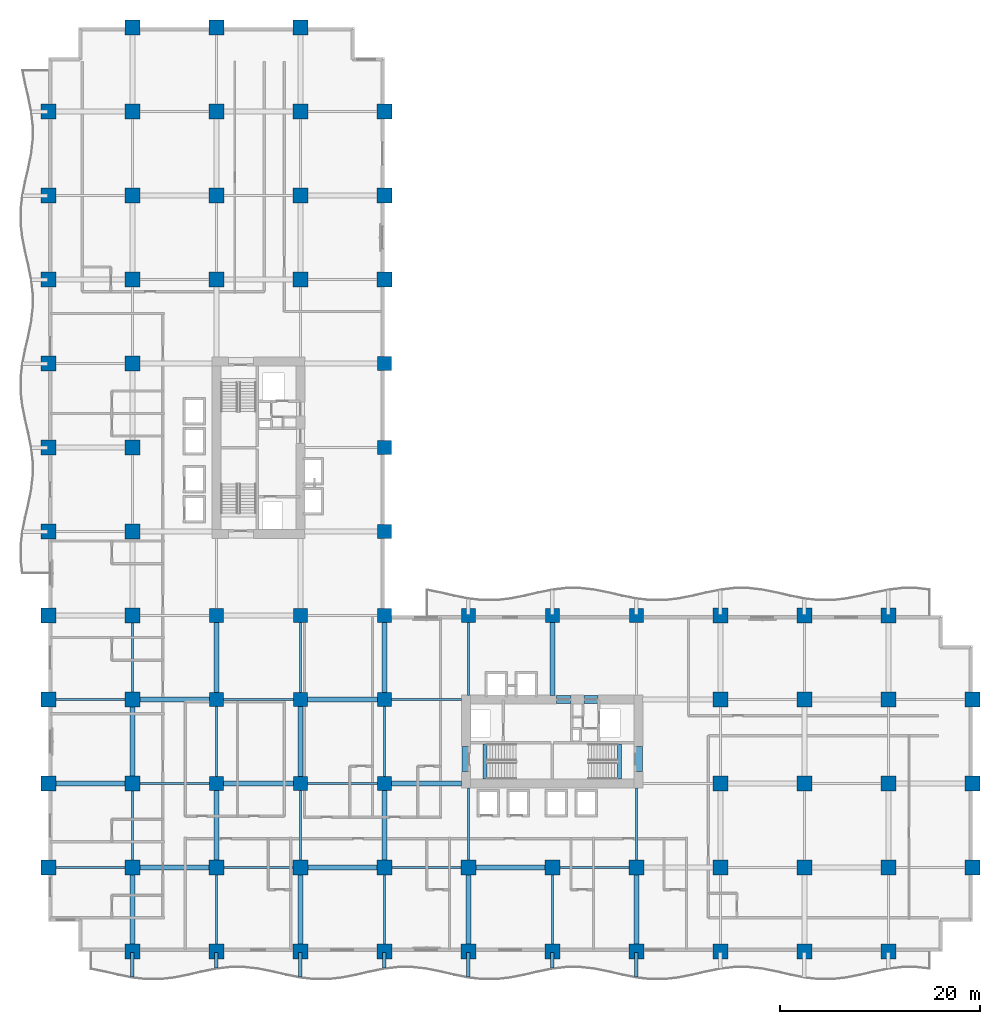
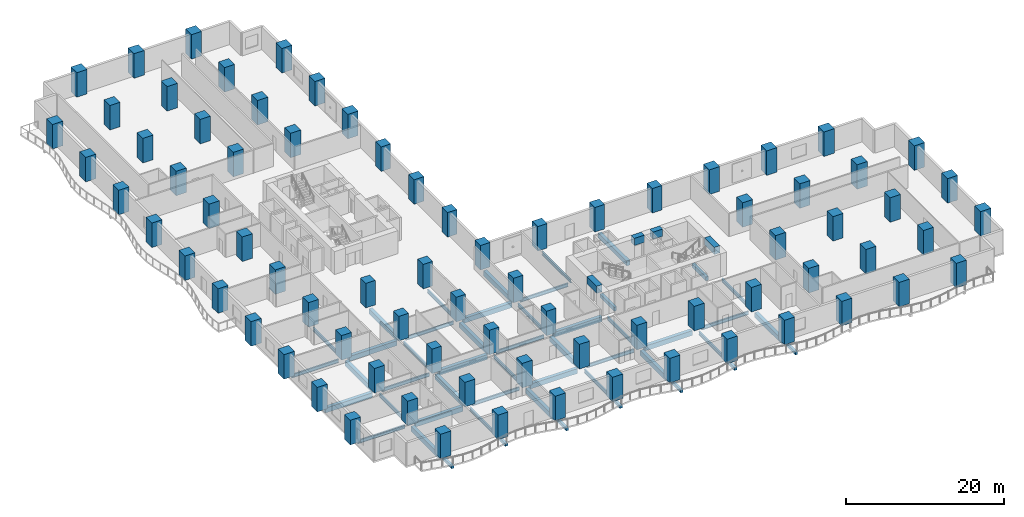
# One storey, part 1 of 20: 78 columns, 53 beams.
"""IFC4 building model written with IfcOpenShell, lengths in metres."""

import ifcopenshell
import ifcopenshell.guid

model = None  # the IFC model being written
_history = None  # IfcOwnerHistory: only IFC2X3 demands one
_inside = {}  # id of a spatial element -> (the spatial element, [elements in it])
_under = {}  # id of a project, library or spatial element -> (it, [spatial elements below it])
_declared = {}  # id of a project -> (the project, [libraries it declares])
_typed = {}  # id of a type object -> (the type object, [elements of that type])
_made_of = {}  # id of a material, layer set ... -> (it, [elements and type objects made of it])


def new_model(schema):
    """Start an empty IFC model of exactly this schema.

    Asked for "IFC4X3", IfcOpenShell would pick the latest addendum, in which some entities
    have other attributes; the version numbers below select the first issue.
    IFC2X3 requires an IfcOwnerHistory on every rooted entity: one is made here for all.
    """
    global model, _history
    if schema == "IFC4X3":
        model = ifcopenshell.file(schema_version=(4, 3, 0, 0))
    else:
        model = ifcopenshell.file(schema=schema)
    _inside.clear()
    _under.clear()
    _declared.clear()
    _typed.clear()
    _made_of.clear()
    _history = None
    if model.schema == "IFC2X3":
        org = make("IfcOrganization", Name="unknown")
        user = make(
            "IfcPersonAndOrganization",
            ThePerson=make("IfcPerson", FamilyName="unknown"),
            TheOrganization=org,
        )
        app = make(
            "IfcApplication",
            ApplicationDeveloper=org,
            Version="unknown",
            ApplicationFullName="unknown",
            ApplicationIdentifier="unknown",
        )
        _history = make(
            "IfcOwnerHistory",
            OwningUser=user,
            OwningApplication=app,
            ChangeAction="ADDED",
            CreationDate=0,
        )
    return model


def make(cls, **values):
    """One entity of the class cls with the attributes given. An attribute that is None is left unset."""
    return model.create_entity(
        cls, **{name: value for name, value in values.items() if value is not None}
    )


def rooted(cls, **values):
    """An entity with a GlobalId (a new one), such as an element, a storey or a relation."""
    return make(cls, GlobalId=ifcopenshell.guid.new(), OwnerHistory=_history, **values)


def si_unit(unit_type, name, prefix=None):
    """IfcSIUnit, for example si_unit("LENGTHUNIT", "METRE", prefix="MILLI")."""
    return make("IfcSIUnit", UnitType=unit_type, Prefix=prefix, Name=name)


def assignment(units):
    """IfcUnitAssignment: the units of a project."""
    return None if units is None else make("IfcUnitAssignment", Units=units)


def point(xyz):
    """IfcCartesianPoint."""
    return None if xyz is None else make("IfcCartesianPoint", Coordinates=xyz)


def direction(xyz):
    """IfcDirection."""
    return None if xyz is None else make("IfcDirection", DirectionRatios=xyz)


def frame(location, z_axis=None, x_axis=None):
    """IfcAxis2Placement3D, a coordinate frame: its origin and axes. An axis left out is left unset."""
    return make(
        "IfcAxis2Placement3D",
        Location=point(location),
        Axis=direction(z_axis),
        RefDirection=direction(x_axis),
    )


def frame_2d(location, x_axis=None):
    """IfcAxis2Placement2D, a coordinate frame in the plane: its origin and x axis."""
    return make(
        "IfcAxis2Placement2D", Location=point(location), RefDirection=direction(x_axis)
    )


def origin():
    """The frame at (0, 0, 0) with its axes left unset."""
    return frame((0.0, 0.0, 0.0))


def origin_2d():
    """The frame at (0, 0) in the plane with its x axis left unset."""
    return frame_2d((0.0, 0.0))


def place(relative_to, where):
    """IfcLocalPlacement: puts the frame where relative to a parent placement (None: the world)."""
    return make(
        "IfcLocalPlacement", PlacementRelTo=relative_to, RelativePlacement=where
    )


def context(
    kind, dimensions, precision=None, world=None, true_north=None, identifier=None
):
    """IfcGeometricRepresentationContext, for example the 3D "Model" context."""
    return make(
        "IfcGeometricRepresentationContext",
        ContextIdentifier=identifier,
        ContextType=kind,
        CoordinateSpaceDimension=dimensions,
        Precision=precision,
        WorldCoordinateSystem=world,
        TrueNorth=true_north,
    )


def subcontext(parent, identifier, kind, view, scale=None):
    """IfcGeometricRepresentationSubContext, for example "Body" below "Model"."""
    return make(
        "IfcGeometricRepresentationSubContext",
        ContextIdentifier=identifier,
        ContextType=kind,
        ParentContext=parent,
        TargetScale=scale,
        TargetView=view,
    )


def project(units=None, contexts=None):
    """IfcProject with its units and contexts."""
    return rooted(
        "IfcProject",
        Name="project",
        RepresentationContexts=contexts,
        UnitsInContext=assignment(units),
    )


def spatial(cls, under=None, at=None, **own):
    """A site, building, storey or space (cls), placed at a placement, below another one or the project."""
    s = rooted(cls, ObjectPlacement=at, **own)
    if under is not None:
        _under.setdefault(under.id(), (under, []))[1].append(s)
    return s


def profile(cls, at=None, kind="AREA", **sizes):
    """A parametric profile (cls). Its sizes go by their IFC names, for example OverallWidth=200.0."""
    return make(cls, ProfileType=kind, Position=at, **sizes)


def rectangle(**sizes):
    """IfcRectangleProfileDef."""
    return profile("IfcRectangleProfileDef", **sizes)


def i_section(**sizes):
    """IfcIShapeProfileDef."""
    return profile("IfcIShapeProfileDef", **sizes)


def extrude(swept, where, along, depth):
    """IfcExtrudedAreaSolid: the profile swept, set in the frame where, extruded along a direction by depth."""
    return make(
        "IfcExtrudedAreaSolid",
        SweptArea=swept,
        Position=where,
        ExtrudedDirection=direction(along),
        Depth=depth,
    )


def shape(context_of_items, identifier, shape_type, items):
    """IfcShapeRepresentation: the items that make up one representation, for example the "Body"."""
    return make(
        "IfcShapeRepresentation",
        ContextOfItems=context_of_items,
        RepresentationIdentifier=identifier,
        RepresentationType=shape_type,
        Items=items,
    )


def material(Name=None, Category=None):
    """IfcMaterial."""
    return make("IfcMaterial", Name=Name, Category=Category)


def material_profile(
    of_material, cross_section, Name=None, Category=None, Priority=None
):
    """IfcMaterialProfile: a cross section and its material."""
    return make(
        "IfcMaterialProfile",
        Name=Name,
        Material=of_material,
        Profile=cross_section,
        Priority=Priority,
        Category=Category,
    )


def profile_set(profiles, Name=None, composite=None):
    """IfcMaterialProfileSet."""
    return make(
        "IfcMaterialProfileSet",
        Name=Name,
        MaterialProfiles=profiles,
        CompositeProfile=composite,
    )


def made_of(thing, what):
    """Note that an element or type object is made of a material, layer set ...; save() writes the relation."""
    if what is not None:
        _made_of.setdefault(what.id(), (what, []))[1].append(thing)
    return thing


def type_object(cls, material=None, **own):
    """A type object (cls), such as IfcWallType, which elements share."""
    return made_of(rooted(cls, **own), material)


def element(
    cls,
    number,
    at=None,
    inside=None,
    cuts=None,
    type_object=None,
    material=None,
    context=None,
    identifier="Body",
    shape_type=None,
    held_by="IfcProductDefinitionShape",
    body=None,
    shapes=None,
    **own,
):
    """One element of the class cls, such as IfcWall. Its Tag is "e" and its number.

    at: its placement. inside: the storey or other place that contains it. cuts: it is an
    opening in that element (IfcRelVoidsElement). A single representation is given by context,
    identifier, shape_type and body (its items); several are given by shapes. held_by: the class
    of the entity that holds the representations. save() writes the other relations.
    """
    e = rooted(cls, Tag="e%d" % number, ObjectPlacement=at, **own)
    if body is not None:
        shapes = [shape(context, identifier, shape_type, body)]
    if shapes is not None:
        e.Representation = make(held_by, Representations=shapes)
    if inside is not None:
        _inside.setdefault(inside.id(), (inside, []))[1].append(e)
    if cuts is not None:
        rooted(
            "IfcRelVoidsElement", RelatingBuildingElement=cuts, RelatedOpeningElement=e
        )
    if type_object is not None:
        _typed.setdefault(type_object.id(), (type_object, []))[1].append(e)
    return made_of(e, material)


def aggregate(whole, parts):
    """IfcRelAggregates: a whole, such as a stair, and the parts it consists of."""
    return rooted("IfcRelAggregates", RelatingObject=whole, RelatedObjects=parts)


def save(model, path):
    """Write the relations noted so far, then the file.

    IfcRelAggregates (storeys below a building ...), IfcRelContainedInSpatialStructure (elements
    in a storey), IfcRelDefinesByType, IfcRelAssociatesMaterial and IfcRelDeclares: one each for
    every whole, place, type object, material and project.
    """
    for whole, parts in _under.values():
        aggregate(whole, parts)
    for where, things in _inside.values():
        rooted(
            "IfcRelContainedInSpatialStructure",
            RelatedElements=things,
            RelatingStructure=where,
        )
    for kind, things in _typed.values():
        rooted("IfcRelDefinesByType", RelatedObjects=things, RelatingType=kind)
    for what, things in _made_of.values():
        rooted("IfcRelAssociatesMaterial", RelatedObjects=things, RelatingMaterial=what)
    for by, libraries in _declared.values():
        rooted("IfcRelDeclares", RelatingContext=by, RelatedDefinitions=libraries)
    model.write(path)


model = new_model("IFC4")

# Units and contexts
model_context = context("Model", 3, precision=1e-05, world=origin(), true_north=direction((0.0, 1.0)))
body_context = subcontext(model_context, "Body", "Model", "MODEL_VIEW")
ifc_project = project(units=[si_unit("LENGTHUNIT", "METRE"), si_unit("AREAUNIT", "SQUARE_METRE"), si_unit("VOLUMEUNIT", "CUBIC_METRE"), si_unit("PLANEANGLEUNIT", "RADIAN"), si_unit("MASSUNIT", "GRAM", prefix="KILO")], contexts=[model_context])

# Site, building, storey
site_placement = place(None, origin())
site = spatial("IfcSite", under=ifc_project, at=site_placement, CompositionType="ELEMENT")
building_placement = place(site_placement, origin())
building = spatial("IfcBuilding", under=site, at=building_placement, Name="Koriwani Terraces Tower", CompositionType="ELEMENT")
storey_placement = place(building_placement, frame((0.0, 0.0, 73.800048828125)))
storey = spatial("IfcBuildingStorey", under=building, at=storey_placement, Name="L17", CompositionType="ELEMENT", Elevation=73.800048828125)

# Columns
ifc_material_1 = material(Name="Concrete C60/75", Category="concrete")
ifc_material_profile_1 = material_profile(ifc_material_1, rectangle(XDim=1.39990234375, YDim=1.39990234375, at=origin_2d()), Name="Concrete C60/75", Category="LoadBearing")
ifc_profile_set_1 = profile_set([ifc_material_profile_1], Name="Concrete C60/75")
column_type_1 = type_object("IfcColumnType", Name="COL_RC_1400X1400", PredefinedType="COLUMN", material=ifc_profile_set_1)
for number, where, z_axis, x_axis, name in (
    (1, (16.800048828125, 16.800048828125, 0.0), (0.0, 0.0, 1.0), (1.0, 0.0, 0.0), "L17 Column 3/C"),
    (2, (16.800048828125, 25.199951171875, 0.0), (0.0, 0.0, 1.0), (1.0, 0.0, 0.0), "L17 Column 3/D"),
    (3, (16.800048828125, 33.60009765625, 0.0), (0.0, 0.0, 1.0), (1.0, 0.0, 0.0), "L17 Column 3/E"),
    (4, (25.199951171875, 16.800048828125, 0.0), (0.0, 0.0, 1.0), (1.0, 0.0, 0.0), "L17 Column 4/C"),
    (5, (25.199951171875, 25.199951171875, 0.0), (0.0, 0.0, 1.0), (1.0, 0.0, 0.0), "L17 Column 4/D"),
    (6, (25.199951171875, 33.60009765625, 0.0), (0.0, 0.0, 1.0), (1.0, 0.0, 0.0), "L17 Column 4/E"),
    (7, (33.60009765625, 16.800048828125, 0.0), (0.0, 0.0, 1.0), (1.0, 0.0, 0.0), "L17 Column 5/C"),
    (8, (33.60009765625, 25.199951171875, 0.0), (0.0, 0.0, 1.0), (1.0, 0.0, 0.0), "L17 Column 5/D"),
    (9, (33.60009765625, 33.60009765625, 0.0), (0.0, 0.0, 1.0), (1.0, 0.0, 0.0), "L17 Column 5/E"),
    (10, (33.60009765625, 42.0, 0.0), (0.0, 0.0, 1.0), (1.0, 0.0, 0.0), "L17 Column 5/F"),
    (11, (33.60009765625, 50.39990234375, 0.0), (0.0, 0.0, 1.0), (1.0, 0.0, 0.0), "L17 Column 5/G"),
    (12, (33.60009765625, 58.800048828125, 0.0), (0.0, 0.0, 1.0), (1.0, 0.0, 0.0), "L17 Column 5/H"),
    (13, (42.0, 33.60009765625, 0.0), (0.0, 0.0, 1.0), (1.0, 0.0, 0.0), "L17 Column 6/E"),
    (14, (50.39990234375, 33.60009765625, 0.0), (0.0, 0.0, 1.0), (1.0, 0.0, 0.0), "L17 Column 7/E"),
    (15, (58.800048828125, 33.60009765625, 0.0), (0.0, 0.0, 1.0), (1.0, 0.0, 0.0), "L17 Column 8/E"),
):
    element("IfcColumn", number, at=place(storey_placement, frame(where, z_axis=z_axis, x_axis=x_axis)), inside=storey, type_object=column_type_1, Name=name, PredefinedType="COLUMN", context=body_context, shape_type="SweptSolid", body=[
        extrude(rectangle(XDim=1.39990234375, YDim=1.39990234375, at=origin_2d()), origin(), (0.0, 0.0, 1.0), 3.800048828125),
    ])
ifc_material_profile_2 = material_profile(ifc_material_1, rectangle(XDim=1.5, YDim=1.5, at=origin_2d()), Name="Concrete C60/75", Category="LoadBearing")
ifc_profile_set_2 = profile_set([ifc_material_profile_2], Name="Concrete C60/75")
column_type_2 = type_object("IfcColumnType", Name="COL_RC_1500X1500", PredefinedType="COLUMN", material=ifc_profile_set_2)
for number, where, z_axis, x_axis, name in (
    (16, (0.0, 8.39990234375, 0.0), (0.0, 0.0, 1.0), (1.0, 0.0, 0.0), "L17 Column 1/B"),
    (17, (0.0, 16.800048828125, 0.0), (0.0, 0.0, 1.0), (1.0, 0.0, 0.0), "L17 Column 1/C"),
    (18, (0.0, 25.199951171875, 0.0), (0.0, 0.0, 1.0), (1.0, 0.0, 0.0), "L17 Column 1/D"),
    (19, (0.0, 33.60009765625, 0.0), (0.0, 0.0, 1.0), (1.0, 0.0, 0.0), "L17 Column 1/E"),
    (20, (0.0, 42.0, 0.0), (0.0, 0.0, 1.0), (1.0, 0.0, 0.0), "L17 Column 1/F"),
    (21, (0.0, 50.39990234375, 0.0), (0.0, 0.0, 1.0), (1.0, 0.0, 0.0), "L17 Column 1/G"),
    (22, (0.0, 58.800048828125, 0.0), (0.0, 0.0, 1.0), (1.0, 0.0, 0.0), "L17 Column 1/H"),
    (23, (0.0, 67.199951171875, 0.0), (0.0, 0.0, 1.0), (1.0, 0.0, 0.0), "L17 Column 1/I"),
    (24, (0.0, 75.60009765625, 0.0), (0.0, 0.0, 1.0), (1.0, 0.0, 0.0), "L17 Column 1/J"),
    (25, (0.0, 84.0, 0.0), (0.0, 0.0, 1.0), (1.0, 0.0, 0.0), "L17 Column 1/K"),
    (26, (8.39990234375, 0.0, 0.0), (0.0, 0.0, 1.0), (1.0, 0.0, 0.0), "L17 Column 2/A"),
    (27, (8.39990234375, 8.39990234375, 0.0), (0.0, 0.0, 1.0), (1.0, 0.0, 0.0), "L17 Column 2/B"),
    (28, (8.39990234375, 16.800048828125, 0.0), (0.0, 0.0, 1.0), (1.0, 0.0, 0.0), "L17 Column 2/C"),
    (29, (8.39990234375, 25.199951171875, 0.0), (0.0, 0.0, 1.0), (1.0, 0.0, 0.0), "L17 Column 2/D"),
    (30, (8.39990234375, 33.60009765625, 0.0), (0.0, 0.0, 1.0), (1.0, 0.0, 0.0), "L17 Column 2/E"),
    (31, (8.39990234375, 42.0, 0.0), (0.0, 0.0, 1.0), (1.0, 0.0, 0.0), "L17 Column 2/F"),
    (32, (8.39990234375, 50.39990234375, 0.0), (0.0, 0.0, 1.0), (1.0, 0.0, 0.0), "L17 Column 2/G"),
    (33, (8.39990234375, 58.800048828125, 0.0), (0.0, 0.0, 1.0), (1.0, 0.0, 0.0), "L17 Column 2/H"),
    (34, (8.39990234375, 67.199951171875, 0.0), (0.0, 0.0, 1.0), (1.0, 0.0, 0.0), "L17 Column 2/I"),
    (35, (8.39990234375, 75.60009765625, 0.0), (0.0, 0.0, 1.0), (1.0, 0.0, 0.0), "L17 Column 2/J"),
    (36, (8.39990234375, 84.0, 0.0), (0.0, 0.0, 1.0), (1.0, 0.0, 0.0), "L17 Column 2/K"),
    (37, (8.39990234375, 92.39990234375, 0.0), (0.0, 0.0, 1.0), (1.0, 0.0, 0.0), "L17 Column 2/L"),
    (38, (16.800048828125, 0.0, 0.0), (0.0, 0.0, 1.0), (1.0, 0.0, 0.0), "L17 Column 3/A"),
    (39, (16.800048828125, 8.39990234375, 0.0), (0.0, 0.0, 1.0), (1.0, 0.0, 0.0), "L17 Column 3/B"),
    (40, (16.800048828125, 67.199951171875, 0.0), (0.0, 0.0, 1.0), (1.0, 0.0, 0.0), "L17 Column 3/I"),
    (41, (16.800048828125, 75.60009765625, 0.0), (0.0, 0.0, 1.0), (1.0, 0.0, 0.0), "L17 Column 3/J"),
    (42, (16.800048828125, 84.0, 0.0), (0.0, 0.0, 1.0), (1.0, 0.0, 0.0), "L17 Column 3/K"),
    (43, (16.800048828125, 92.39990234375, 0.0), (0.0, 0.0, 1.0), (1.0, 0.0, 0.0), "L17 Column 3/L"),
    (44, (25.199951171875, 0.0, 0.0), (0.0, 0.0, 1.0), (1.0, 0.0, 0.0), "L17 Column 4/A"),
    (45, (25.199951171875, 8.39990234375, 0.0), (0.0, 0.0, 1.0), (1.0, 0.0, 0.0), "L17 Column 4/B"),
    (46, (25.199951171875, 67.199951171875, 0.0), (0.0, 0.0, 1.0), (1.0, 0.0, 0.0), "L17 Column 4/I"),
    (47, (25.199951171875, 75.60009765625, 0.0), (0.0, 0.0, 1.0), (1.0, 0.0, 0.0), "L17 Column 4/J"),
    (48, (25.199951171875, 84.0, 0.0), (0.0, 0.0, 1.0), (1.0, 0.0, 0.0), "L17 Column 4/K"),
    (49, (25.199951171875, 92.39990234375, 0.0), (0.0, 0.0, 1.0), (1.0, 0.0, 0.0), "L17 Column 4/L"),
    (50, (33.60009765625, 0.0, 0.0), (0.0, 0.0, 1.0), (1.0, 0.0, 0.0), "L17 Column 5/A"),
    (51, (33.60009765625, 8.39990234375, 0.0), (0.0, 0.0, 1.0), (1.0, 0.0, 0.0), "L17 Column 5/B"),
    (52, (33.60009765625, 67.199951171875, 0.0), (0.0, 0.0, 1.0), (1.0, 0.0, 0.0), "L17 Column 5/I"),
    (53, (33.60009765625, 75.60009765625, 0.0), (0.0, 0.0, 1.0), (1.0, 0.0, 0.0), "L17 Column 5/J"),
    (54, (33.60009765625, 84.0, 0.0), (0.0, 0.0, 1.0), (1.0, 0.0, 0.0), "L17 Column 5/K"),
    (55, (42.0, 0.0, 0.0), (0.0, 0.0, 1.0), (1.0, 0.0, 0.0), "L17 Column 6/A"),
    (56, (42.0, 8.39990234375, 0.0), (0.0, 0.0, 1.0), (1.0, 0.0, 0.0), "L17 Column 6/B"),
    (57, (50.39990234375, 0.0, 0.0), (0.0, 0.0, 1.0), (1.0, 0.0, 0.0), "L17 Column 7/A"),
    (58, (50.39990234375, 8.39990234375, 0.0), (0.0, 0.0, 1.0), (1.0, 0.0, 0.0), "L17 Column 7/B"),
    (59, (58.800048828125, 0.0, 0.0), (0.0, 0.0, 1.0), (1.0, 0.0, 0.0), "L17 Column 8/A"),
    (60, (58.800048828125, 8.39990234375, 0.0), (0.0, 0.0, 1.0), (1.0, 0.0, 0.0), "L17 Column 8/B"),
    (61, (67.199951171875, 0.0, 0.0), (0.0, 0.0, 1.0), (1.0, 0.0, 0.0), "L17 Column 9/A"),
    (62, (67.199951171875, 8.39990234375, 0.0), (0.0, 0.0, 1.0), (1.0, 0.0, 0.0), "L17 Column 9/B"),
    (63, (67.199951171875, 16.800048828125, 0.0), (0.0, 0.0, 1.0), (1.0, 0.0, 0.0), "L17 Column 9/C"),
    (64, (67.199951171875, 25.199951171875, 0.0), (0.0, 0.0, 1.0), (1.0, 0.0, 0.0), "L17 Column 9/D"),
    (65, (67.199951171875, 33.60009765625, 0.0), (0.0, 0.0, 1.0), (1.0, 0.0, 0.0), "L17 Column 9/E"),
    (66, (75.60009765625, 0.0, 0.0), (0.0, 0.0, 1.0), (1.0, 0.0, 0.0), "L17 Column 10/A"),
    (67, (75.60009765625, 8.39990234375, 0.0), (0.0, 0.0, 1.0), (1.0, 0.0, 0.0), "L17 Column 10/B"),
    (68, (75.60009765625, 16.800048828125, 0.0), (0.0, 0.0, 1.0), (1.0, 0.0, 0.0), "L17 Column 10/C"),
    (69, (75.60009765625, 25.199951171875, 0.0), (0.0, 0.0, 1.0), (1.0, 0.0, 0.0), "L17 Column 10/D"),
    (70, (75.60009765625, 33.60009765625, 0.0), (0.0, 0.0, 1.0), (1.0, 0.0, 0.0), "L17 Column 10/E"),
    (71, (84.0, 0.0, 0.0), (0.0, 0.0, 1.0), (1.0, 0.0, 0.0), "L17 Column 11/A"),
    (72, (84.0, 8.39990234375, 0.0), (0.0, 0.0, 1.0), (1.0, 0.0, 0.0), "L17 Column 11/B"),
    (73, (84.0, 16.800048828125, 0.0), (0.0, 0.0, 1.0), (1.0, 0.0, 0.0), "L17 Column 11/C"),
    (74, (84.0, 25.199951171875, 0.0), (0.0, 0.0, 1.0), (1.0, 0.0, 0.0), "L17 Column 11/D"),
    (75, (84.0, 33.60009765625, 0.0), (0.0, 0.0, 1.0), (1.0, 0.0, 0.0), "L17 Column 11/E"),
    (76, (92.39990234375, 8.39990234375, 0.0), (0.0, 0.0, 1.0), (1.0, 0.0, 0.0), "L17 Column 12/B"),
    (77, (92.39990234375, 16.800048828125, 0.0), (0.0, 0.0, 1.0), (1.0, 0.0, 0.0), "L17 Column 12/C"),
    (78, (92.39990234375, 25.199951171875, 0.0), (0.0, 0.0, 1.0), (1.0, 0.0, 0.0), "L17 Column 12/D"),
):
    element("IfcColumn", number, at=place(storey_placement, frame(where, z_axis=z_axis, x_axis=x_axis)), inside=storey, type_object=column_type_2, Name=name, PredefinedType="COLUMN", context=body_context, shape_type="SweptSolid", body=[
        extrude(rectangle(XDim=1.5, YDim=1.5, at=origin_2d()), origin(), (0.0, 0.0, 1.0), 3.800048828125),
    ])

# Beams
ifc_material_2 = material(Name="Concrete C40/50", Category="concrete")
ifc_material_profile_3 = material_profile(ifc_material_2, rectangle(XDim=0.35009765625, YDim=0.449951171875, at=origin_2d()), Name="Concrete C40/50", Category="LoadBearing")
ifc_profile_set_3 = profile_set([ifc_material_profile_3], Name="Concrete C40/50")
beam_type_1 = type_object("IfcBeamType", Name="BEAM_RC_BALCONY_RIB_350X450", PredefinedType="JOIST", material=ifc_profile_set_3)
beam_1_placement = place(storey_placement, frame((8.39990234375, -2.516845703125, -0.47509765625), z_axis=(0.0, 1.0, 0.0), x_axis=(-1.0, 0.0, 0.0)))
element("IfcBeam", 79, at=beam_1_placement, inside=storey, type_object=beam_type_1, Name="L17 Balcony Bracket Rib S-1", PredefinedType="JOIST", context=body_context, shape_type="SweptSolid", body=[
    extrude(rectangle(XDim=0.35009765625, YDim=0.449951171875, at=origin_2d()), origin(), (0.0, 0.0, 1.0), 2.416748046875),
])
beam_2_placement = place(storey_placement, frame((16.800048828125, -1.633056640625, -0.47509765625), z_axis=(0.0, 1.0, 0.0), x_axis=(-1.0, 0.0, 0.0)))
element("IfcBeam", 80, at=beam_2_placement, inside=storey, type_object=beam_type_1, Name="L17 Balcony Bracket Rib S-2", PredefinedType="JOIST", context=body_context, shape_type="SweptSolid", body=[
    extrude(rectangle(XDim=0.35009765625, YDim=0.449951171875, at=origin_2d()), origin(), (0.0, 0.0, 1.0), 1.532958984375),
])
beam_3_placement = place(storey_placement, frame((25.199951171875, -2.516845703125, -0.47509765625), z_axis=(0.0, 1.0, 0.0), x_axis=(-1.0, 0.0, 0.0)))
element("IfcBeam", 81, at=beam_3_placement, inside=storey, type_object=beam_type_1, Name="L17 Balcony Bracket Rib S-3", PredefinedType="JOIST", context=body_context, shape_type="SweptSolid", body=[
    extrude(rectangle(XDim=0.35009765625, YDim=0.449951171875, at=origin_2d()), origin(), (0.0, 0.0, 1.0), 2.416748046875),
])
beam_4_placement = place(storey_placement, frame((33.60009765625, -1.633056640625, -0.47509765625), z_axis=(0.0, 1.0, 0.0), x_axis=(-1.0, 0.0, 0.0)))
element("IfcBeam", 82, at=beam_4_placement, inside=storey, type_object=beam_type_1, Name="L17 Balcony Bracket Rib S-4", PredefinedType="JOIST", context=body_context, shape_type="SweptSolid", body=[
    extrude(rectangle(XDim=0.35009765625, YDim=0.449951171875, at=origin_2d()), origin(), (0.0, 0.0, 1.0), 1.532958984375),
])
beam_5_placement = place(storey_placement, frame((42.0, -2.516845703125, -0.47509765625), z_axis=(0.0, 1.0, 0.0), x_axis=(-1.0, 0.0, 0.0)))
element("IfcBeam", 83, at=beam_5_placement, inside=storey, type_object=beam_type_1, Name="L17 Balcony Bracket Rib S-5", PredefinedType="JOIST", context=body_context, shape_type="SweptSolid", body=[
    extrude(rectangle(XDim=0.35009765625, YDim=0.449951171875, at=origin_2d()), origin(), (0.0, 0.0, 1.0), 2.416748046875),
])
beam_6_placement = place(storey_placement, frame((50.39990234375, -1.633056640625, -0.47509765625), z_axis=(0.0, 1.0, 0.0), x_axis=(-1.0, 0.0, 0.0)))
element("IfcBeam", 84, at=beam_6_placement, inside=storey, type_object=beam_type_1, Name="L17 Balcony Bracket Rib S-6", PredefinedType="JOIST", context=body_context, shape_type="SweptSolid", body=[
    extrude(rectangle(XDim=0.35009765625, YDim=0.449951171875, at=origin_2d()), origin(), (0.0, 0.0, 1.0), 1.532958984375),
])
beam_7_placement = place(storey_placement, frame((58.800048828125, -2.516845703125, -0.47509765625), z_axis=(0.0, 1.0, 0.0), x_axis=(-1.0, 0.0, 0.0)))
element("IfcBeam", 85, at=beam_7_placement, inside=storey, type_object=beam_type_1, Name="L17 Balcony Bracket Rib S-7", PredefinedType="JOIST", context=body_context, shape_type="SweptSolid", body=[
    extrude(rectangle(XDim=0.35009765625, YDim=0.449951171875, at=origin_2d()), origin(), (0.0, 0.0, 1.0), 2.416748046875),
])
ifc_material_profile_4 = material_profile(ifc_material_1, rectangle(XDim=0.800048828125, YDim=1.10009765625, at=origin_2d()), Name="Concrete C60/75", Category="LoadBearing")
ifc_profile_set_4 = profile_set([ifc_material_profile_4], Name="Concrete C60/75")
beam_type_2 = type_object("IfcBeamType", Name="BEAM_RC_COUPLING_800X1100", PredefinedType="LINTEL", material=ifc_profile_set_4)
beam_8_placement = place(storey_placement, frame((50.800048828125, 25.199951171875, 3.0), z_axis=(1.0, 0.0, 0.0), x_axis=(0.0, 1.0, 0.0)))
element("IfcBeam", 86, at=beam_8_placement, inside=storey, type_object=beam_type_2, Name="L17 Core Coupling Lintel Beam EN1", PredefinedType="LINTEL", context=body_context, shape_type="SweptSolid", body=[
    extrude(rectangle(XDim=0.800048828125, YDim=1.10009765625, at=origin_2d()), origin(), (0.0, 0.0, 1.0), 1.47998046875),
])
beam_9_placement = place(storey_placement, frame((53.550048828125, 25.199951171875, 3.0), z_axis=(1.0, 0.0, 0.0), x_axis=(0.0, 1.0, 0.0)))
element("IfcBeam", 87, at=beam_9_placement, inside=storey, type_object=beam_type_2, Name="L17 Core Coupling Lintel Beam EN2", PredefinedType="LINTEL", context=body_context, shape_type="SweptSolid", body=[
    extrude(rectangle(XDim=0.800048828125, YDim=1.10009765625, at=origin_2d()), origin(), (0.0, 0.0, 1.0), 1.39990234375),
])
for number, where, z_axis, x_axis, name in (
    (88, (41.75, 18.0, 3.0), (0.0, 1.0, 0.0), (-1.0, 0.0, 0.0), "L17 Core Coupling Lintel Beam EW"),
    (89, (59.0, 18.0, 3.0), (0.0, 1.0, 0.0), (-1.0, 0.0, 0.0), "L17 Core Coupling Lintel Beam EE"),
):
    element("IfcBeam", number, at=place(storey_placement, frame(where, z_axis=z_axis, x_axis=x_axis)), inside=storey, type_object=beam_type_2, Name=name, PredefinedType="LINTEL", context=body_context, shape_type="SweptSolid", body=[
        extrude(rectangle(XDim=0.800048828125, YDim=1.10009765625, at=origin_2d()), origin(), (0.0, 0.0, 1.0), 2.5),
    ])
ifc_material_profile_5 = material_profile(ifc_material_2, rectangle(XDim=0.39990234375, YDim=0.60009765625, at=origin_2d()), Name="Concrete C40/50", Category="LoadBearing")
ifc_profile_set_5 = profile_set([ifc_material_profile_5], Name="Concrete C40/50")
beam_type_3 = type_object("IfcBeamType", Name="BEAM_RC_GRID_400X600", PredefinedType="BEAM", material=ifc_profile_set_5)
for number, where, z_axis, x_axis, name in (
    (90, (43.655029296875, 17.25, -0.300048828125), (0.0, 1.0, 0.0), (-1.0, 0.0, 0.0), "L17 Stairwell Header Trimmer Beam ST-E1"),
    (91, (57.094970703125, 17.25, -0.300048828125), (0.0, 1.0, 0.0), (-1.0, 0.0, 0.0), "L17 Stairwell Header Trimmer Beam ST-E2"),
):
    element("IfcBeam", number, at=place(storey_placement, frame(where, z_axis=z_axis, x_axis=x_axis)), inside=storey, type_object=beam_type_3, Name=name, PredefinedType="BEAM", context=body_context, shape_type="SweptSolid", body=[
        extrude(rectangle(XDim=0.39990234375, YDim=0.60009765625, at=origin_2d()), origin(), (0.0, 0.0, 1.0), 3.5),
    ])
ifc_material_3 = material(Name="Concrete C50/60", Category="concrete")
ifc_material_profile_6 = material_profile(ifc_material_3, rectangle(XDim=0.5, YDim=0.75, at=origin_2d()), Name="Concrete C50/60", Category="LoadBearing")
ifc_profile_set_6 = profile_set([ifc_material_profile_6], Name="Concrete C50/60")
beam_type_4 = type_object("IfcBeamType", Name="BEAM_RC_GRID_500X750", PredefinedType="BEAM", material=ifc_profile_set_6)
for number, where, z_axis, x_axis, name in (
    (92, (9.1298828125, 8.39990234375, -0.625), (1.0, 0.0, 0.0), (0.0, 1.0, 0.0), "L17 Grid Beam B (8.4-16.8m)"),
    (93, (25.929931640625, 8.39990234375, -0.625), (1.0, 0.0, 0.0), (0.0, 1.0, 0.0), "L17 Grid Beam B (25.2-33.6m)"),
):
    element("IfcBeam", number, at=place(storey_placement, frame(where, z_axis=z_axis, x_axis=x_axis)), inside=storey, type_object=beam_type_4, Name=name, PredefinedType="BEAM", context=body_context, shape_type="SweptSolid", body=[
        extrude(rectangle(XDim=0.5, YDim=0.75, at=origin_2d()), origin(), (0.0, 0.0, 1.0), 6.940185546875),
    ])
for number, where, z_axis, x_axis, name in (
    (94, (42.72998046875, 8.39990234375, -0.625), (1.0, 0.0, 0.0), (0.0, 1.0, 0.0), "L17 Grid Beam B (42.0-50.4m)"),
    (95, (0.72998046875, 16.800048828125, -0.625), (1.0, 0.0, 0.0), (0.0, 1.0, 0.0), "L17 Grid Beam C (0.0-8.4m)"),
):
    element("IfcBeam", number, at=place(storey_placement, frame(where, z_axis=z_axis, x_axis=x_axis)), inside=storey, type_object=beam_type_4, Name=name, PredefinedType="BEAM", context=body_context, shape_type="SweptSolid", body=[
        extrude(rectangle(XDim=0.5, YDim=0.75, at=origin_2d()), origin(), (0.0, 0.0, 1.0), 6.93994140625),
    ])
for number, where, z_axis, x_axis, name in (
    (96, (17.47998046875, 16.800048828125, -0.625), (1.0, 0.0, 0.0), (0.0, 1.0, 0.0), "L17 Grid Beam C (16.8-25.2m)"),
    (97, (34.280029296875, 16.800048828125, -0.625), (1.0, 0.0, 0.0), (0.0, 1.0, 0.0), "L17 Grid Beam C (33.6-42.0m)"),
):
    element("IfcBeam", number, at=place(storey_placement, frame(where, z_axis=z_axis, x_axis=x_axis)), inside=storey, type_object=beam_type_4, Name=name, PredefinedType="BEAM", context=body_context, shape_type="SweptSolid", body=[
        extrude(rectangle(XDim=0.5, YDim=0.75, at=origin_2d()), origin(), (0.0, 0.0, 1.0), 7.0400390625),
    ])
beam_10_placement = place(storey_placement, frame((9.1298828125, 25.199951171875, -0.625), z_axis=(1.0, 0.0, 0.0), x_axis=(0.0, 1.0, 0.0)))
element("IfcBeam", 98, at=beam_10_placement, inside=storey, type_object=beam_type_4, Name="L17 Grid Beam D (8.4-16.8m)", PredefinedType="BEAM", context=body_context, shape_type="SweptSolid", body=[
    extrude(rectangle(XDim=0.5, YDim=0.75, at=origin_2d()), origin(), (0.0, 0.0, 1.0), 6.990234375),
])
beam_11_placement = place(storey_placement, frame((25.8798828125, 25.199951171875, -0.625), z_axis=(1.0, 0.0, 0.0), x_axis=(0.0, 1.0, 0.0)))
element("IfcBeam", 99, at=beam_11_placement, inside=storey, type_object=beam_type_4, Name="L17 Grid Beam D (25.2-33.6m)", PredefinedType="BEAM", context=body_context, shape_type="SweptSolid", body=[
    extrude(rectangle(XDim=0.5, YDim=0.75, at=origin_2d()), origin(), (0.0, 0.0, 1.0), 7.0400390625),
])
for number, where, z_axis, x_axis, name in (
    (100, (8.39990234375, 0.72998046875, -0.625), (0.0, 1.0, 0.0), (-1.0, 0.0, 0.0), "L17 Grid Beam 2 (0.0-8.4m)"),
    (101, (8.39990234375, 17.530029296875, -0.625), (0.0, 1.0, 0.0), (-1.0, 0.0, 0.0), "L17 Grid Beam 2 (16.8-25.2m)"),
):
    element("IfcBeam", number, at=place(storey_placement, frame(where, z_axis=z_axis, x_axis=x_axis)), inside=storey, type_object=beam_type_4, Name=name, PredefinedType="BEAM", context=body_context, shape_type="SweptSolid", body=[
        extrude(rectangle(XDim=0.5, YDim=0.75, at=origin_2d()), origin(), (0.0, 0.0, 1.0), 6.93994140625),
    ])
beam_12_placement = place(storey_placement, frame((16.800048828125, 9.1298828125, -0.625), z_axis=(0.0, 1.0, 0.0), x_axis=(-1.0, 0.0, 0.0)))
element("IfcBeam", 102, at=beam_12_placement, inside=storey, type_object=beam_type_4, Name="L17 Grid Beam 3 (8.4-16.8m)", PredefinedType="BEAM", context=body_context, shape_type="SweptSolid", body=[
    extrude(rectangle(XDim=0.5, YDim=0.75, at=origin_2d()), origin(), (0.0, 0.0, 1.0), 6.990234375),
])
beam_13_placement = place(storey_placement, frame((16.800048828125, 25.8798828125, -0.625), z_axis=(0.0, 1.0, 0.0), x_axis=(-1.0, 0.0, 0.0)))
element("IfcBeam", 103, at=beam_13_placement, inside=storey, type_object=beam_type_4, Name="L17 Grid Beam 3 (25.2-33.6m)", PredefinedType="BEAM", context=body_context, shape_type="SweptSolid", body=[
    extrude(rectangle(XDim=0.5, YDim=0.75, at=origin_2d()), origin(), (0.0, 0.0, 1.0), 7.0400390625),
])
beam_14_placement = place(storey_placement, frame((25.199951171875, 0.72998046875, -0.625), z_axis=(0.0, 1.0, 0.0), x_axis=(-1.0, 0.0, 0.0)))
element("IfcBeam", 104, at=beam_14_placement, inside=storey, type_object=beam_type_4, Name="L17 Grid Beam 4 (0.0-8.4m)", PredefinedType="BEAM", context=body_context, shape_type="SweptSolid", body=[
    extrude(rectangle(XDim=0.5, YDim=0.75, at=origin_2d()), origin(), (0.0, 0.0, 1.0), 6.93994140625),
])
beam_15_placement = place(storey_placement, frame((25.199951171875, 17.47998046875, -0.625), z_axis=(0.0, 1.0, 0.0), x_axis=(-1.0, 0.0, 0.0)))
element("IfcBeam", 105, at=beam_15_placement, inside=storey, type_object=beam_type_4, Name="L17 Grid Beam 4 (16.8-25.2m)", PredefinedType="BEAM", context=body_context, shape_type="SweptSolid", body=[
    extrude(rectangle(XDim=0.5, YDim=0.75, at=origin_2d()), origin(), (0.0, 0.0, 1.0), 7.0400390625),
])
beam_16_placement = place(storey_placement, frame((33.60009765625, 9.1298828125, -0.625), z_axis=(0.0, 1.0, 0.0), x_axis=(-1.0, 0.0, 0.0)))
element("IfcBeam", 106, at=beam_16_placement, inside=storey, type_object=beam_type_4, Name="L17 Grid Beam 5 (8.4-16.8m)", PredefinedType="BEAM", context=body_context, shape_type="SweptSolid", body=[
    extrude(rectangle(XDim=0.5, YDim=0.75, at=origin_2d()), origin(), (0.0, 0.0, 1.0), 6.990234375),
])
beam_17_placement = place(storey_placement, frame((33.60009765625, 25.8798828125, -0.625), z_axis=(0.0, 1.0, 0.0), x_axis=(-1.0, 0.0, 0.0)))
element("IfcBeam", 107, at=beam_17_placement, inside=storey, type_object=beam_type_4, Name="L17 Grid Beam 5 (25.2-33.6m)", PredefinedType="BEAM", context=body_context, shape_type="SweptSolid", body=[
    extrude(rectangle(XDim=0.5, YDim=0.75, at=origin_2d()), origin(), (0.0, 0.0, 1.0), 7.0400390625),
])
beam_18_placement = place(storey_placement, frame((42.0, 0.72998046875, -0.625), z_axis=(0.0, 1.0, 0.0), x_axis=(-1.0, 0.0, 0.0)))
element("IfcBeam", 108, at=beam_18_placement, inside=storey, type_object=beam_type_4, Name="L17 Grid Beam 6 (0.0-8.4m)", PredefinedType="BEAM", context=body_context, shape_type="SweptSolid", body=[
    extrude(rectangle(XDim=0.5, YDim=0.75, at=origin_2d()), origin(), (0.0, 0.0, 1.0), 6.93994140625),
])
beam_19_placement = place(storey_placement, frame((50.39990234375, 25.6298828125, -0.625), z_axis=(0.0, 1.0, 0.0), x_axis=(-1.0, 0.0, 0.0)))
element("IfcBeam", 109, at=beam_19_placement, inside=storey, type_object=beam_type_4, Name="L17 Grid Beam 7 (25.2-33.6m)", PredefinedType="BEAM", context=body_context, shape_type="SweptSolid", body=[
    extrude(rectangle(XDim=0.5, YDim=0.75, at=origin_2d()), origin(), (0.0, 0.0, 1.0), 7.2900390625),
])
beam_20_placement = place(storey_placement, frame((58.800048828125, 0.72998046875, -0.625), z_axis=(0.0, 1.0, 0.0), x_axis=(-1.0, 0.0, 0.0)))
element("IfcBeam", 110, at=beam_20_placement, inside=storey, type_object=beam_type_4, Name="L17 Grid Beam 8 (0.0-8.4m)", PredefinedType="BEAM", context=body_context, shape_type="SweptSolid", body=[
    extrude(rectangle(XDim=0.5, YDim=0.75, at=origin_2d()), origin(), (0.0, 0.0, 1.0), 6.93994140625),
])
ifc_material_4 = material(Name="Steel ASTM A572 Grade 50", Category="steel")
ifc_material_profile_7 = material_profile(ifc_material_4, i_section(OverallWidth=0.2109375, OverallDepth=0.5390625, WebThickness=0.01171875, FlangeThickness=0.018798828125, at=origin_2d()), Name="Steel ASTM A572 Grade 50", Category="LoadBearing")
ifc_profile_set_7 = profile_set([ifc_material_profile_7], Name="Steel ASTM A572 Grade 50")
beam_type_5 = type_object("IfcBeamType", Name="STEEL_BEAM_W530X109", PredefinedType="BEAM", material=ifc_profile_set_7)
for number, where, z_axis, x_axis, name in (
    (111, (0.72998046875, 8.39990234375, -0.51953125), (1.0, 0.0, 0.0), (0.0, 1.0, 0.0), "L17 Grid Beam B (0.0-8.4m)"),
    (112, (17.530029296875, 8.39990234375, -0.51953125), (1.0, 0.0, 0.0), (0.0, 1.0, 0.0), "L17 Grid Beam B (16.8-25.2m)"),
    (113, (34.330078125, 8.39990234375, -0.51953125), (1.0, 0.0, 0.0), (0.0, 1.0, 0.0), "L17 Grid Beam B (33.6-42.0m)"),
):
    element("IfcBeam", number, at=place(storey_placement, frame(where, z_axis=z_axis, x_axis=x_axis)), inside=storey, type_object=beam_type_5, Name=name, PredefinedType="BEAM", context=body_context, shape_type="SweptSolid", body=[
        extrude(i_section(OverallWidth=0.2109375, OverallDepth=0.5390625, WebThickness=0.01171875, FlangeThickness=0.018798828125, at=origin_2d()), origin(), (0.0, 0.0, 1.0), 6.93994140625),
    ])
beam_21_placement = place(storey_placement, frame((51.1298828125, 8.39990234375, -0.51953125), z_axis=(1.0, 0.0, 0.0), x_axis=(0.0, 1.0, 0.0)))
element("IfcBeam", 114, at=beam_21_placement, inside=storey, type_object=beam_type_5, Name="L17 Grid Beam B (50.4-58.8m)", PredefinedType="BEAM", context=body_context, shape_type="SweptSolid", body=[
    extrude(i_section(OverallWidth=0.2109375, OverallDepth=0.5390625, WebThickness=0.01171875, FlangeThickness=0.018798828125, at=origin_2d()), origin(), (0.0, 0.0, 1.0), 6.940185546875),
])
beam_22_placement = place(storey_placement, frame((9.1298828125, 16.800048828125, -0.51953125), z_axis=(1.0, 0.0, 0.0), x_axis=(0.0, 1.0, 0.0)))
element("IfcBeam", 115, at=beam_22_placement, inside=storey, type_object=beam_type_5, Name="L17 Grid Beam C (8.4-16.8m)", PredefinedType="BEAM", context=body_context, shape_type="SweptSolid", body=[
    extrude(i_section(OverallWidth=0.2109375, OverallDepth=0.5390625, WebThickness=0.01171875, FlangeThickness=0.018798828125, at=origin_2d()), origin(), (0.0, 0.0, 1.0), 6.990234375),
])
beam_23_placement = place(storey_placement, frame((25.8798828125, 16.800048828125, -0.51953125), z_axis=(1.0, 0.0, 0.0), x_axis=(0.0, 1.0, 0.0)))
element("IfcBeam", 116, at=beam_23_placement, inside=storey, type_object=beam_type_5, Name="L17 Grid Beam C (25.2-33.6m)", PredefinedType="BEAM", context=body_context, shape_type="SweptSolid", body=[
    extrude(i_section(OverallWidth=0.2109375, OverallDepth=0.5390625, WebThickness=0.01171875, FlangeThickness=0.018798828125, at=origin_2d()), origin(), (0.0, 0.0, 1.0), 7.0400390625),
])
beam_24_placement = place(storey_placement, frame((0.72998046875, 25.199951171875, -0.51953125), z_axis=(1.0, 0.0, 0.0), x_axis=(0.0, 1.0, 0.0)))
element("IfcBeam", 117, at=beam_24_placement, inside=storey, type_object=beam_type_5, Name="L17 Grid Beam D (0.0-8.4m)", PredefinedType="BEAM", context=body_context, shape_type="SweptSolid", body=[
    extrude(i_section(OverallWidth=0.2109375, OverallDepth=0.5390625, WebThickness=0.01171875, FlangeThickness=0.018798828125, at=origin_2d()), origin(), (0.0, 0.0, 1.0), 6.93994140625),
])
for number, where, z_axis, x_axis, name in (
    (118, (17.47998046875, 25.199951171875, -0.51953125), (1.0, 0.0, 0.0), (0.0, 1.0, 0.0), "L17 Grid Beam D (16.8-25.2m)"),
    (119, (34.280029296875, 25.199951171875, -0.51953125), (1.0, 0.0, 0.0), (0.0, 1.0, 0.0), "L17 Grid Beam D (33.6-42.0m)"),
):
    element("IfcBeam", number, at=place(storey_placement, frame(where, z_axis=z_axis, x_axis=x_axis)), inside=storey, type_object=beam_type_5, Name=name, PredefinedType="BEAM", context=body_context, shape_type="SweptSolid", body=[
        extrude(i_section(OverallWidth=0.2109375, OverallDepth=0.5390625, WebThickness=0.01171875, FlangeThickness=0.018798828125, at=origin_2d()), origin(), (0.0, 0.0, 1.0), 7.0400390625),
    ])
for number, where, z_axis, x_axis, name in (
    (120, (8.39990234375, 9.1298828125, -0.51953125), (0.0, 1.0, 0.0), (-1.0, 0.0, 0.0), "L17 Grid Beam 2 (8.4-16.8m)"),
    (121, (8.39990234375, 25.929931640625, -0.51953125), (0.0, 1.0, 0.0), (-1.0, 0.0, 0.0), "L17 Grid Beam 2 (25.2-33.6m)"),
):
    element("IfcBeam", number, at=place(storey_placement, frame(where, z_axis=z_axis, x_axis=x_axis)), inside=storey, type_object=beam_type_5, Name=name, PredefinedType="BEAM", context=body_context, shape_type="SweptSolid", body=[
        extrude(i_section(OverallWidth=0.2109375, OverallDepth=0.5390625, WebThickness=0.01171875, FlangeThickness=0.018798828125, at=origin_2d()), origin(), (0.0, 0.0, 1.0), 6.940185546875),
    ])
beam_25_placement = place(storey_placement, frame((16.800048828125, 0.72998046875, -0.51953125), z_axis=(0.0, 1.0, 0.0), x_axis=(-1.0, 0.0, 0.0)))
element("IfcBeam", 122, at=beam_25_placement, inside=storey, type_object=beam_type_5, Name="L17 Grid Beam 3 (0.0-8.4m)", PredefinedType="BEAM", context=body_context, shape_type="SweptSolid", body=[
    extrude(i_section(OverallWidth=0.2109375, OverallDepth=0.5390625, WebThickness=0.01171875, FlangeThickness=0.018798828125, at=origin_2d()), origin(), (0.0, 0.0, 1.0), 6.93994140625),
])
beam_26_placement = place(storey_placement, frame((16.800048828125, 17.47998046875, -0.51953125), z_axis=(0.0, 1.0, 0.0), x_axis=(-1.0, 0.0, 0.0)))
element("IfcBeam", 123, at=beam_26_placement, inside=storey, type_object=beam_type_5, Name="L17 Grid Beam 3 (16.8-25.2m)", PredefinedType="BEAM", context=body_context, shape_type="SweptSolid", body=[
    extrude(i_section(OverallWidth=0.2109375, OverallDepth=0.5390625, WebThickness=0.01171875, FlangeThickness=0.018798828125, at=origin_2d()), origin(), (0.0, 0.0, 1.0), 7.0400390625),
])
beam_27_placement = place(storey_placement, frame((25.199951171875, 9.1298828125, -0.51953125), z_axis=(0.0, 1.0, 0.0), x_axis=(-1.0, 0.0, 0.0)))
element("IfcBeam", 124, at=beam_27_placement, inside=storey, type_object=beam_type_5, Name="L17 Grid Beam 4 (8.4-16.8m)", PredefinedType="BEAM", context=body_context, shape_type="SweptSolid", body=[
    extrude(i_section(OverallWidth=0.2109375, OverallDepth=0.5390625, WebThickness=0.01171875, FlangeThickness=0.018798828125, at=origin_2d()), origin(), (0.0, 0.0, 1.0), 6.990234375),
])
beam_28_placement = place(storey_placement, frame((25.199951171875, 25.8798828125, -0.51953125), z_axis=(0.0, 1.0, 0.0), x_axis=(-1.0, 0.0, 0.0)))
element("IfcBeam", 125, at=beam_28_placement, inside=storey, type_object=beam_type_5, Name="L17 Grid Beam 4 (25.2-33.6m)", PredefinedType="BEAM", context=body_context, shape_type="SweptSolid", body=[
    extrude(i_section(OverallWidth=0.2109375, OverallDepth=0.5390625, WebThickness=0.01171875, FlangeThickness=0.018798828125, at=origin_2d()), origin(), (0.0, 0.0, 1.0), 7.0400390625),
])
beam_29_placement = place(storey_placement, frame((33.60009765625, 0.72998046875, -0.51953125), z_axis=(0.0, 1.0, 0.0), x_axis=(-1.0, 0.0, 0.0)))
element("IfcBeam", 126, at=beam_29_placement, inside=storey, type_object=beam_type_5, Name="L17 Grid Beam 5 (0.0-8.4m)", PredefinedType="BEAM", context=body_context, shape_type="SweptSolid", body=[
    extrude(i_section(OverallWidth=0.2109375, OverallDepth=0.5390625, WebThickness=0.01171875, FlangeThickness=0.018798828125, at=origin_2d()), origin(), (0.0, 0.0, 1.0), 6.93994140625),
])
beam_30_placement = place(storey_placement, frame((33.60009765625, 17.47998046875, -0.51953125), z_axis=(0.0, 1.0, 0.0), x_axis=(-1.0, 0.0, 0.0)))
element("IfcBeam", 127, at=beam_30_placement, inside=storey, type_object=beam_type_5, Name="L17 Grid Beam 5 (16.8-25.2m)", PredefinedType="BEAM", context=body_context, shape_type="SweptSolid", body=[
    extrude(i_section(OverallWidth=0.2109375, OverallDepth=0.5390625, WebThickness=0.01171875, FlangeThickness=0.018798828125, at=origin_2d()), origin(), (0.0, 0.0, 1.0), 7.0400390625),
])
beam_31_placement = place(storey_placement, frame((42.0, 9.1298828125, -0.51953125), z_axis=(0.0, 1.0, 0.0), x_axis=(-1.0, 0.0, 0.0)))
element("IfcBeam", 128, at=beam_31_placement, inside=storey, type_object=beam_type_5, Name="L17 Grid Beam 6 (8.4-16.8m)", PredefinedType="BEAM", context=body_context, shape_type="SweptSolid", body=[
    extrude(i_section(OverallWidth=0.2109375, OverallDepth=0.5390625, WebThickness=0.01171875, FlangeThickness=0.018798828125, at=origin_2d()), origin(), (0.0, 0.0, 1.0), 7.240234375),
])
beam_32_placement = place(storey_placement, frame((42.0, 25.6298828125, -0.51953125), z_axis=(0.0, 1.0, 0.0), x_axis=(-1.0, 0.0, 0.0)))
element("IfcBeam", 129, at=beam_32_placement, inside=storey, type_object=beam_type_5, Name="L17 Grid Beam 6 (25.2-33.6m)", PredefinedType="BEAM", context=body_context, shape_type="SweptSolid", body=[
    extrude(i_section(OverallWidth=0.2109375, OverallDepth=0.5390625, WebThickness=0.01171875, FlangeThickness=0.018798828125, at=origin_2d()), origin(), (0.0, 0.0, 1.0), 7.2900390625),
])
beam_33_placement = place(storey_placement, frame((50.39990234375, 0.72998046875, -0.51953125), z_axis=(0.0, 1.0, 0.0), x_axis=(-1.0, 0.0, 0.0)))
element("IfcBeam", 130, at=beam_33_placement, inside=storey, type_object=beam_type_5, Name="L17 Grid Beam 7 (0.0-8.4m)", PredefinedType="BEAM", context=body_context, shape_type="SweptSolid", body=[
    extrude(i_section(OverallWidth=0.2109375, OverallDepth=0.5390625, WebThickness=0.01171875, FlangeThickness=0.018798828125, at=origin_2d()), origin(), (0.0, 0.0, 1.0), 6.93994140625),
])
beam_34_placement = place(storey_placement, frame((58.800048828125, 9.1298828125, -0.51953125), z_axis=(0.0, 1.0, 0.0), x_axis=(-1.0, 0.0, 0.0)))
element("IfcBeam", 131, at=beam_34_placement, inside=storey, type_object=beam_type_5, Name="L17 Grid Beam 8 (8.4-16.8m)", PredefinedType="BEAM", context=body_context, shape_type="SweptSolid", body=[
    extrude(i_section(OverallWidth=0.2109375, OverallDepth=0.5390625, WebThickness=0.01171875, FlangeThickness=0.018798828125, at=origin_2d()), origin(), (0.0, 0.0, 1.0), 7.240234375),
])

save(model, "model.ifc")
